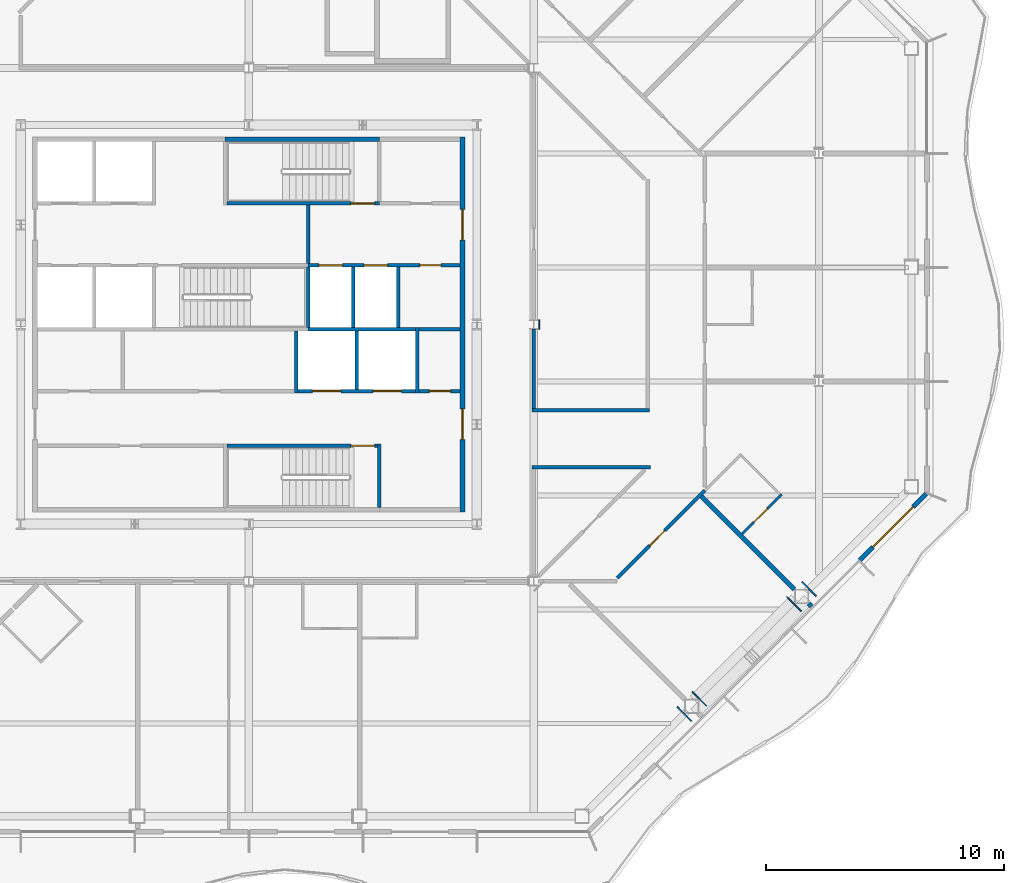
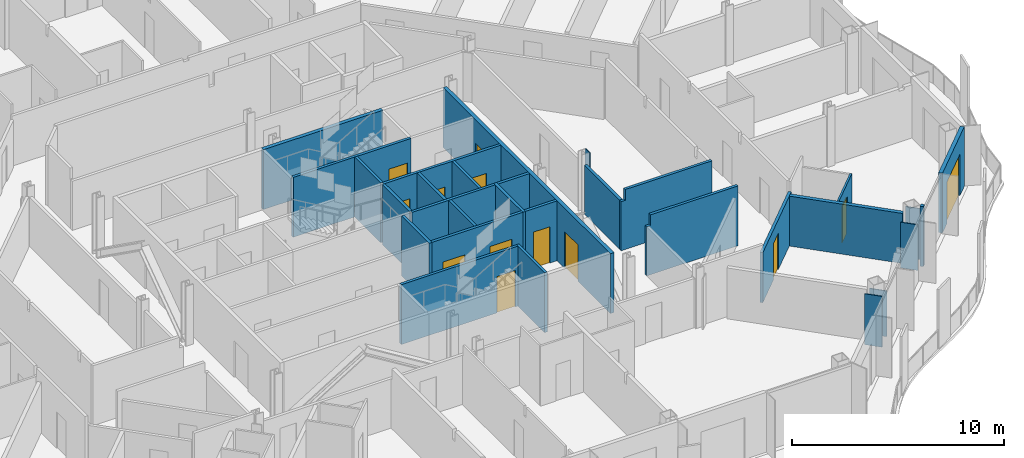
# One storey, part 10 of 21: 30 walls, 13 doors, 13 openings.
"""IFC4 building model written with IfcOpenShell, lengths in metres."""

from ifc_helpers import new_model, si_unit, direction, frame, frame_2d, origin, place, context, subcontext, project, spatial, polyline, rectangle, outline, extrude, material, layer, layer_set, type_object, element, fill, save


model = new_model("IFC4")

# Units and contexts
model_context = context("Model", 3, precision=1e-05, world=origin(), true_north=direction((0.0, 1.0)))
body_context = subcontext(model_context, "Body", "Model", "MODEL_VIEW")
ifc_project = project(units=[si_unit("LENGTHUNIT", "METRE"), si_unit("AREAUNIT", "SQUARE_METRE"), si_unit("VOLUMEUNIT", "CUBIC_METRE"), si_unit("PLANEANGLEUNIT", "RADIAN"), si_unit("MASSUNIT", "GRAM", prefix="KILO")], contexts=[model_context])

# Site, building, storey
site_placement = place(None, origin())
site = spatial("IfcSite", under=ifc_project, at=site_placement, CompositionType="ELEMENT")
building_placement = place(site_placement, origin())
building = spatial("IfcBuilding", under=site, at=building_placement, Name="Cairn Pilgrim Tower", CompositionType="ELEMENT")
storey_placement = place(building_placement, frame((0.0, 0.0, 154.199951171875)))
storey = spatial("IfcBuildingStorey", under=building, at=storey_placement, Name="L38", CompositionType="ELEMENT", Elevation=154.199951171875)

# Wall, opening, door
ifc_material_1 = material(Name="Bronze anodised aluminium insulated sandwich panel with mineral wool fill", Category="aluminium")
ifc_layer_1 = layer(ifc_material_1, 0.199951171875)
ifc_layer_set_1 = layer_set([ifc_layer_1], Name="BRONZE INFILL FRAME WALL 200")
wall_type_1 = type_object("IfcWallType", Name="BRONZE INFILL FRAME WALL 200", PredefinedType="NOTDEFINED", material=ifc_layer_set_1)
wall_1_placement = place(storey_placement, frame((32.92041015625, -7.52587890625, 0.0), z_axis=(0.0, 0.0, 1.0), x_axis=(0.707106781187, 0.707106781187, 0.0)))
wall_1 = element("IfcWall", 1, at=wall_1_placement, inside=storey, type_object=wall_type_1, Name="Bronze infill frame wall IW-SE5", PredefinedType="NOTDEFINED", context=body_context, shape_type="SweptSolid", body=[
    extrude(rectangle(XDim=3.961669921875, YDim=0.199951171875, at=frame_2d((1.98095703125, 0.0))), origin(), (0.0, 0.0, 1.0), 3.449951171875),
])
opening_1_placement = place(wall_1_placement, frame((0.78564453125, 0.0, 0.0)))
opening_1 = element("IfcOpeningElement", 2, at=opening_1_placement, cuts=wall_1, Name="Opening 3803B2", PredefinedType="OPENING", context=body_context, shape_type="SweptSolid", body=[
    extrude(rectangle(XDim=2.39990234375, YDim=2.39990234375, at=frame_2d((1.199951171875, 1.199951171875))), frame((0.0, 0.10986328125, 0.0), z_axis=(0.0, -1.0, 0.0), x_axis=(1.0, 0.0, 0.0)), (0.0, 0.0, 1.0), 0.219970703125),
])
ifc_material_2 = material(Name="Bronze anodised aluminium frame with tinted low-E glass", Category="aluminium")
door_type_1 = type_object("IfcDoorType", Name="BALCONY SLIDING DOOR 2400x2400", OperationType="DOUBLE_DOOR_SLIDING", PredefinedType="DOOR", material=ifc_material_2)
door_1_placement = place(opening_1_placement, origin())
door_1 = element("IfcDoor", 3, at=door_1_placement, inside=storey, type_object=door_type_1, Name="Balcony sliding door 3803B2", OperationType="SINGLE_SWING_LEFT", OverallHeight=2.39990234375, OverallWidth=2.39990234375, PredefinedType="DOOR", context=body_context, shape_type="SweptSolid", body=[
    extrude(rectangle(XDim=2.39990234375, YDim=2.39990234375, at=frame_2d((1.199951171875, 1.199951171875))), frame((0.0, 0.02490234375, 0.0), z_axis=(0.0, -1.0, 0.0), x_axis=(1.0, 0.0, 0.0)), (0.0, 0.0, 1.0), 0.050048828125),
])
fill(opening_1, door_1)

# Wall, openings, doors
ifc_material_3 = material(Name="Concrete C32/40", Category="concrete")
ifc_layer_2 = layer(ifc_material_3, 0.199951171875)
ifc_layer_set_2 = layer_set([ifc_layer_2], Name="CORE OUTER WALL 200 EI 120")
wall_type_2 = type_object("IfcWallType", Name="CORE OUTER WALL 200 EI 120", PredefinedType="SOLIDWALL", material=ifc_layer_set_2)
wall_2_placement = place(storey_placement, frame((16.199951171875, -5.5, 0.0), z_axis=(0.0, 0.0, 1.0), x_axis=(0.0, 1.0, 0.0)))
wall_2 = element("IfcWall", 4, at=wall_2_placement, inside=storey, type_object=wall_type_2, Name="CW:L38:V30", PredefinedType="SOLIDWALL", context=body_context, shape_type="SweptSolid", body=[
    extrude(rectangle(XDim=15.800048828125, YDim=0.199951171875, at=frame_2d((7.89990234375, 0.0))), origin(), (0.0, 0.0, 1.0), 3.449951171875),
])
opening_2_placement = place(wall_2_placement, frame((3.050048828125, 0.0, 0.0)))
opening_2 = element("IfcOpeningElement", 5, at=opening_2_placement, cuts=wall_2, Name="Opening CD-E1", PredefinedType="OPENING", context=body_context, shape_type="SweptSolid", body=[
    extrude(rectangle(XDim=1.300048828125, YDim=2.10009765625, at=frame_2d((0.64990234375, 1.050048828125))), frame((0.0, 0.10986328125, 0.0), z_axis=(0.0, -1.0, 0.0), x_axis=(1.0, 0.0, 0.0)), (0.0, 0.0, 1.0), 0.219970703125),
])
opening_3_placement = place(wall_2_placement, frame((11.449951171875, 0.0, 0.0)))
opening_3 = element("IfcOpeningElement", 6, at=opening_3_placement, cuts=wall_2, Name="Opening CD-E2", PredefinedType="OPENING", context=body_context, shape_type="SweptSolid", body=[
    extrude(rectangle(XDim=1.300048828125, YDim=2.10009765625, at=frame_2d((0.64990234375, 1.050048828125))), frame((0.0, 0.10986328125, 0.0), z_axis=(0.0, -1.0, 0.0), x_axis=(1.0, 0.0, 0.0)), (0.0, 0.0, 1.0), 0.219970703125),
])
ifc_material_4 = material(Name="Painted steel", Category="steel")
door_type_2 = type_object("IfcDoorType", Name="CORE LOBBY DOOR 1300x2100", OperationType="DOUBLE_DOOR_SINGLE_SWING", PredefinedType="DOOR", material=ifc_material_4)
door_2_placement = place(opening_2_placement, origin())
door_2 = element("IfcDoor", 7, at=door_2_placement, inside=storey, type_object=door_type_2, Name="CD-E1", OperationType="DOUBLE_DOOR_SINGLE_SWING", OverallHeight=2.10009765625, OverallWidth=1.300048828125, PredefinedType="DOOR", context=body_context, shape_type="SweptSolid", body=[
    extrude(rectangle(XDim=1.300048828125, YDim=2.10009765625, at=frame_2d((0.64990234375, 1.050048828125))), frame((0.0, 0.02490234375, 0.0), z_axis=(0.0, -1.0, 0.0), x_axis=(1.0, 0.0, 0.0)), (0.0, 0.0, 1.0), 0.050048828125),
])
fill(opening_2, door_2)
door_3_placement = place(opening_3_placement, origin())
door_3 = element("IfcDoor", 8, at=door_3_placement, inside=storey, type_object=door_type_2, Name="CD-E2", OperationType="DOUBLE_DOOR_SINGLE_SWING", OverallHeight=2.10009765625, OverallWidth=1.300048828125, PredefinedType="DOOR", context=body_context, shape_type="SweptSolid", body=[
    extrude(rectangle(XDim=1.300048828125, YDim=2.10009765625, at=frame_2d((0.64990234375, 1.050048828125))), frame((0.0, 0.02490234375, 0.0), z_axis=(0.0, -1.0, 0.0), x_axis=(1.0, 0.0, 0.0)), (0.0, 0.0, 1.0), 0.050048828125),
])
fill(opening_3, door_3)

# Wall, opening, door
ifc_layer_3 = layer(ifc_material_3, 0.14990234375)
ifc_layer_set_3 = layer_set([ifc_layer_3], Name="CORE PARTITION 150 EI 60")
wall_type_3 = type_object("IfcWallType", Name="CORE PARTITION 150 EI 60", PredefinedType="PARTITIONING", material=ifc_layer_set_3)
wall_3_placement = place(storey_placement, frame((14.375, -0.39990234375, 0.0), z_axis=(0.0, 0.0, 1.0), x_axis=(1.0, 0.0, 0.0)))
wall_3 = element("IfcWall", 9, at=wall_3_placement, inside=storey, type_object=wall_type_3, Name="CW:L38:H06", PredefinedType="PARTITIONING", context=body_context, shape_type="SweptSolid", body=[
    extrude(rectangle(XDim=1.72509765625, YDim=0.14990234375, at=frame_2d((0.862548828125, 0.0))), origin(), (0.0, 0.0, 1.0), 3.449951171875),
])
opening_4_placement = place(wall_3_placement, frame((0.425048828125, 0.0, 0.0)))
opening_4 = element("IfcOpeningElement", 10, at=opening_4_placement, cuts=wall_3, Name="Opening RD-R2E", PredefinedType="OPENING", context=body_context, shape_type="SweptSolid", body=[
    extrude(rectangle(XDim=0.89990234375, YDim=2.10009765625, at=frame_2d((0.449951171875, 1.050048828125))), frame((0.0, 0.0849609375, 0.0), z_axis=(0.0, -1.0, 0.0), x_axis=(1.0, 0.0, 0.0)), (0.0, 0.0, 1.0), 0.169921875),
])
door_type_3 = type_object("IfcDoorType", Name="SERVICE ROOM DOOR 900x2100", OperationType="SINGLE_SWING_LEFT", PredefinedType="DOOR", material=ifc_material_4)
door_4_placement = place(opening_4_placement, origin())
door_4 = element("IfcDoor", 11, at=door_4_placement, inside=storey, type_object=door_type_3, Name="RD-R2E", OperationType="SINGLE_SWING_RIGHT", OverallHeight=2.10009765625, OverallWidth=0.89990234375, PredefinedType="DOOR", context=body_context, shape_type="SweptSolid", body=[
    extrude(rectangle(XDim=0.89990234375, YDim=2.10009765625, at=frame_2d((0.449951171875, 1.050048828125))), frame((0.0, 0.02490234375, 0.0), z_axis=(0.0, -1.0, 0.0), x_axis=(1.0, 0.0, 0.0)), (0.0, 0.0, 1.0), 0.050048828125),
])
fill(opening_4, door_4)

# Wall
wall_4_placement = place(storey_placement, frame((14.375, 2.199951171875, 0.0), z_axis=(0.0, 0.0, 1.0), x_axis=(1.0, 0.0, 0.0)))
element("IfcWall", 12, at=wall_4_placement, inside=storey, type_object=wall_type_3, Name="CW:L38:H08", PredefinedType="PARTITIONING", context=body_context, shape_type="SweptSolid", body=[
    extrude(rectangle(XDim=1.72509765625, YDim=0.14990234375, at=frame_2d((0.862548828125, 0.0))), origin(), (0.0, 0.0, 1.0), 3.449951171875),
])

# Wall, openings, doors
ifc_layer_4 = layer(ifc_material_3, 0.14990234375)
ifc_layer_set_4 = layer_set([ifc_layer_4], Name="CORE SHAFT WALL 150 EI 120")
wall_type_4 = type_object("IfcWallType", Name="CORE SHAFT WALL 150 EI 120", PredefinedType="SOLIDWALL", material=ifc_layer_set_4)
wall_5_placement = place(storey_placement, frame((9.27490234375, -0.39990234375, 0.0), z_axis=(0.0, 0.0, 1.0), x_axis=(1.0, 0.0, 0.0)))
wall_5 = element("IfcWall", 13, at=wall_5_placement, inside=storey, type_object=wall_type_4, Name="CW:L38:H05", PredefinedType="SOLIDWALL", context=body_context, shape_type="SweptSolid", body=[
    extrude(rectangle(XDim=4.9501953125, YDim=0.14990234375, at=frame_2d((2.47509765625, 0.0))), origin(), (0.0, 0.0, 1.0), 3.449951171875),
])
opening_5_placement = place(wall_5_placement, frame((0.60009765625, 0.0, 0.0)))
opening_5 = element("IfcOpeningElement", 14, at=opening_5_placement, cuts=wall_5, Name="Opening LD-SV1", PredefinedType="OPENING", context=body_context, shape_type="SweptSolid", body=[
    extrude(rectangle(XDim=1.199951171875, YDim=2.10009765625, at=frame_2d((0.60009765625, 1.050048828125))), frame((0.0, 0.0849609375, 0.0), z_axis=(0.0, -1.0, 0.0), x_axis=(1.0, 0.0, 0.0)), (0.0, 0.0, 1.0), 0.169921875),
])
opening_6_placement = place(wall_5_placement, frame((3.14990234375, 0.0, 0.0)))
opening_6 = element("IfcOpeningElement", 15, at=opening_6_placement, cuts=wall_5, Name="Opening LD-SV2", PredefinedType="OPENING", context=body_context, shape_type="SweptSolid", body=[
    extrude(rectangle(XDim=1.199951171875, YDim=2.10009765625, at=frame_2d((0.60009765625, 1.050048828125))), frame((0.0, 0.0849609375, 0.0), z_axis=(0.0, -1.0, 0.0), x_axis=(1.0, 0.0, 0.0)), (0.0, 0.0, 1.0), 0.169921875),
])
ifc_material_5 = material(Name="Stainless steel", Category="steel")
door_type_4 = type_object("IfcDoorType", Name="LIFT LANDING DOOR 1200x2100", OperationType="DOUBLE_DOOR_SLIDING", PredefinedType="DOOR", material=ifc_material_5)
door_5_placement = place(opening_5_placement, origin())
door_5 = element("IfcDoor", 16, at=door_5_placement, inside=storey, type_object=door_type_4, Name="LANDING DOOR SV1", OperationType="DOUBLE_DOOR_SLIDING", OverallHeight=2.10009765625, OverallWidth=1.199951171875, PredefinedType="DOOR", context=body_context, shape_type="SweptSolid", body=[
    extrude(rectangle(XDim=1.199951171875, YDim=2.10009765625, at=frame_2d((0.60009765625, 1.050048828125))), frame((0.0, 0.02490234375, 0.0), z_axis=(0.0, -1.0, 0.0), x_axis=(1.0, 0.0, 0.0)), (0.0, 0.0, 1.0), 0.050048828125),
])
fill(opening_5, door_5)
door_6_placement = place(opening_6_placement, origin())
door_6 = element("IfcDoor", 17, at=door_6_placement, inside=storey, type_object=door_type_4, Name="LANDING DOOR SV2", OperationType="DOUBLE_DOOR_SLIDING", OverallHeight=2.10009765625, OverallWidth=1.199951171875, PredefinedType="DOOR", context=body_context, shape_type="SweptSolid", body=[
    extrude(rectangle(XDim=1.199951171875, YDim=2.10009765625, at=frame_2d((0.60009765625, 1.050048828125))), frame((0.0, 0.02490234375, 0.0), z_axis=(0.0, -1.0, 0.0), x_axis=(1.0, 0.0, 0.0)), (0.0, 0.0, 1.0), 0.050048828125),
])
fill(opening_6, door_6)

# Wall
wall_6_placement = place(storey_placement, frame((9.699951171875, 2.199951171875, 0.0), z_axis=(0.0, 0.0, 1.0), x_axis=(1.0, 0.0, 0.0)))
element("IfcWall", 18, at=wall_6_placement, inside=storey, type_object=wall_type_4, Name="CW:L38:H07-3", PredefinedType="SOLIDWALL", context=body_context, shape_type="SweptSolid", body=[
    extrude(rectangle(XDim=4.525146484375, YDim=0.14990234375, at=frame_2d((2.2626953125, 0.0))), origin(), (0.0, 0.0, 1.0), 3.449951171875),
])

# Wall, openings, doors
wall_7_placement = place(storey_placement, frame((9.699951171875, 4.89990234375, 0.0), z_axis=(0.0, 0.0, 1.0), x_axis=(1.0, 0.0, 0.0)))
wall_7 = element("IfcWall", 19, at=wall_7_placement, inside=storey, type_object=wall_type_4, Name="CW:L38:H09-3", PredefinedType="SOLIDWALL", context=body_context, shape_type="SweptSolid", body=[
    extrude(rectangle(XDim=6.400146484375, YDim=0.14990234375, at=frame_2d((3.2001953125, 0.0))), origin(), (0.0, 0.0, 1.0), 3.449951171875),
])
opening_7_placement = place(wall_7_placement, frame((0.449951171875, 0.0, 0.0)))
opening_7 = element("IfcOpeningElement", 20, at=opening_7_placement, cuts=wall_7, Name="Opening LD-FF1", PredefinedType="OPENING", context=body_context, shape_type="SweptSolid", body=[
    extrude(rectangle(XDim=1.0, YDim=2.10009765625, at=frame_2d((0.5, 1.050048828125))), frame((0.0, 0.0849609375, 0.0), z_axis=(0.0, -1.0, 0.0), x_axis=(1.0, 0.0, 0.0)), (0.0, 0.0, 1.0), 0.169921875),
])
opening_8_placement = place(wall_7_placement, frame((2.35009765625, 0.0, 0.0)))
opening_8 = element("IfcOpeningElement", 21, at=opening_8_placement, cuts=wall_7, Name="Opening LD-FF2", PredefinedType="OPENING", context=body_context, shape_type="SweptSolid", body=[
    extrude(rectangle(XDim=1.0, YDim=2.10009765625, at=frame_2d((0.5, 1.050048828125))), frame((0.0, 0.0849609375, 0.0), z_axis=(0.0, -1.0, 0.0), x_axis=(1.0, 0.0, 0.0)), (0.0, 0.0, 1.0), 0.169921875),
])
opening_9_placement = place(wall_7_placement, frame((4.699951171875, 0.0, 0.0)))
opening_9 = element("IfcOpeningElement", 22, at=opening_9_placement, cuts=wall_7, Name="Opening RD-R3E", PredefinedType="OPENING", context=body_context, shape_type="SweptSolid", body=[
    extrude(rectangle(XDim=0.89990234375, YDim=2.10009765625, at=frame_2d((0.449951171875, 1.050048828125))), frame((0.0, 0.0849609375, 0.0), z_axis=(0.0, -1.0, 0.0), x_axis=(1.0, 0.0, 0.0)), (0.0, 0.0, 1.0), 0.169921875),
])
door_type_5 = type_object("IfcDoorType", Name="LIFT LANDING DOOR FIRE 1000x2100", OperationType="DOUBLE_DOOR_SLIDING", PredefinedType="DOOR", material=ifc_material_5)
door_7_placement = place(opening_7_placement, origin())
door_7 = element("IfcDoor", 23, at=door_7_placement, inside=storey, type_object=door_type_5, Name="LANDING DOOR FF1", OperationType="DOUBLE_DOOR_SLIDING", OverallHeight=2.10009765625, OverallWidth=1.0, PredefinedType="DOOR", context=body_context, shape_type="SweptSolid", body=[
    extrude(rectangle(XDim=1.0, YDim=2.10009765625, at=frame_2d((0.5, 1.050048828125))), frame((0.0, 0.02490234375, 0.0), z_axis=(0.0, -1.0, 0.0), x_axis=(1.0, 0.0, 0.0)), (0.0, 0.0, 1.0), 0.050048828125),
])
fill(opening_7, door_7)
door_8_placement = place(opening_8_placement, origin())
door_8 = element("IfcDoor", 24, at=door_8_placement, inside=storey, type_object=door_type_5, Name="LANDING DOOR FF2", OperationType="DOUBLE_DOOR_SLIDING", OverallHeight=2.10009765625, OverallWidth=1.0, PredefinedType="DOOR", context=body_context, shape_type="SweptSolid", body=[
    extrude(rectangle(XDim=1.0, YDim=2.10009765625, at=frame_2d((0.5, 1.050048828125))), frame((0.0, 0.02490234375, 0.0), z_axis=(0.0, -1.0, 0.0), x_axis=(1.0, 0.0, 0.0)), (0.0, 0.0, 1.0), 0.050048828125),
])
fill(opening_8, door_8)
door_9_placement = place(opening_9_placement, origin())
door_9 = element("IfcDoor", 25, at=door_9_placement, inside=storey, type_object=door_type_3, Name="RD-R3E", OperationType="SINGLE_SWING_LEFT", OverallHeight=2.10009765625, OverallWidth=0.89990234375, PredefinedType="DOOR", context=body_context, shape_type="SweptSolid", body=[
    extrude(rectangle(XDim=0.89990234375, YDim=2.10009765625, at=frame_2d((0.449951171875, 1.050048828125))), frame((0.0, 0.02490234375, 0.0), z_axis=(0.0, -1.0, 0.0), x_axis=(1.0, 0.0, 0.0)), (0.0, 0.0, 1.0), 0.050048828125),
])
fill(opening_9, door_9)

# Walls
wall_8_placement = place(storey_placement, frame((9.199951171875, -0.47509765625, 0.0), z_axis=(0.0, 0.0, 1.0), x_axis=(0.0, 1.0, 0.0)))
element("IfcWall", 26, at=wall_8_placement, inside=storey, type_object=wall_type_4, Name="CW:L38:V21", PredefinedType="SOLIDWALL", context=body_context, shape_type="SweptSolid", body=[
    extrude(rectangle(XDim=2.60009765625, YDim=0.14990234375, at=frame_2d((1.300048828125, 0.0))), origin(), (0.0, 0.0, 1.0), 3.449951171875),
])
wall_9_placement = place(storey_placement, frame((9.699951171875, 4.97509765625, 0.0), z_axis=(0.0, 0.0, 1.0), x_axis=(0.0, 1.0, 0.0)))
element("IfcWall", 27, at=wall_9_placement, inside=storey, type_object=wall_type_4, Name="CW:L38:V23", PredefinedType="SOLIDWALL", context=body_context, shape_type="SweptSolid", body=[
    extrude(rectangle(XDim=2.449951171875, YDim=0.14990234375, at=frame_2d((1.22509765625, 0.0))), origin(), (0.0, 0.0, 1.0), 3.449951171875),
])
wall_10_placement = place(storey_placement, frame((11.60009765625, 2.27490234375, 0.0), z_axis=(0.0, 0.0, 1.0), x_axis=(0.0, 1.0, 0.0)))
element("IfcWall", 28, at=wall_10_placement, inside=storey, type_object=wall_type_4, Name="CW:L38:V24", PredefinedType="SOLIDWALL", context=body_context, shape_type="SweptSolid", body=[
    extrude(rectangle(XDim=2.550048828125, YDim=0.14990234375, at=frame_2d((1.27490234375, 0.0))), origin(), (0.0, 0.0, 1.0), 3.449951171875),
])
wall_11_placement = place(storey_placement, frame((11.75, -0.324951171875, 0.0), z_axis=(0.0, 0.0, 1.0), x_axis=(0.0, 1.0, 0.0)))
element("IfcWall", 29, at=wall_11_placement, inside=storey, type_object=wall_type_4, Name="CW:L38:V25", PredefinedType="SOLIDWALL", context=body_context, shape_type="SweptSolid", body=[
    extrude(rectangle(XDim=2.449951171875, YDim=0.14990234375, at=frame_2d((1.22509765625, 0.0))), origin(), (0.0, 0.0, 1.0), 3.449951171875),
])
wall_12_placement = place(storey_placement, frame((13.5, 2.27490234375, 0.0), z_axis=(0.0, 0.0, 1.0), x_axis=(0.0, 1.0, 0.0)))
element("IfcWall", 30, at=wall_12_placement, inside=storey, type_object=wall_type_4, Name="CW:L38:V28", PredefinedType="SOLIDWALL", context=body_context, shape_type="SweptSolid", body=[
    extrude(rectangle(XDim=2.550048828125, YDim=0.14990234375, at=frame_2d((1.27490234375, 0.0))), origin(), (0.0, 0.0, 1.0), 3.449951171875),
])
wall_13_placement = place(storey_placement, frame((14.300048828125, -0.47509765625, 0.0), z_axis=(0.0, 0.0, 1.0), x_axis=(0.0, 1.0, 0.0)))
element("IfcWall", 31, at=wall_13_placement, inside=storey, type_object=wall_type_4, Name="CW:L38:V29", PredefinedType="SOLIDWALL", context=body_context, shape_type="SweptSolid", body=[
    extrude(rectangle(XDim=2.75, YDim=0.14990234375, at=frame_2d((1.375, 0.0))), origin(), (0.0, 0.0, 1.0), 3.449951171875),
])

# Wall, opening, door
ifc_material_6 = material(Name="Gypsum partition")
ifc_layer_5 = layer(ifc_material_6, 0.10009765625)
ifc_layer_set_5 = layer_set([ifc_layer_5], Name="PARTITION 100 DRYWALL")
wall_type_5 = type_object("IfcWallType", Name="PARTITION 100 DRYWALL", PredefinedType="PARTITIONING", material=ifc_layer_set_5)
wall_14_placement = place(storey_placement, frame((27.976806640625, -6.411376953125, 0.0), z_axis=(0.0, 0.0, 1.0), x_axis=(0.707054828152, 0.707158730404, 0.0)))
wall_14 = element("IfcWall", 32, at=wall_14_placement, inside=storey, type_object=wall_type_5, Name="PARTITION W037", PredefinedType="PARTITIONING", context=body_context, shape_type="SweptSolid", body=[
    extrude(rectangle(XDim=2.349609375, YDim=0.10009765625, at=frame_2d((1.1748046875, 0.0))), origin(), (0.0, 0.0, 1.0), 2.880126953125),
])
opening_10_placement = place(wall_14_placement, frame((0.699951171875, 0.0, 0.0)))
opening_10 = element("IfcOpeningElement", 33, at=opening_10_placement, cuts=wall_14, Name="Opening 3803A", PredefinedType="OPENING", context=body_context, shape_type="SweptSolid", body=[
    extrude(rectangle(XDim=0.800048828125, YDim=2.10009765625, at=frame_2d((0.39990234375, 1.050048828125))), frame((0.0, 0.06005859375, 0.0), z_axis=(0.0, -1.0, 0.0), x_axis=(1.0, 0.0, 0.0)), (0.0, 0.0, 1.0), 0.1201171875),
])
ifc_material_7 = material(Name="Timber door leaf", Category="wood")
door_type_6 = type_object("IfcDoorType", Name="WC DOOR 800x2100", OperationType="NOTDEFINED", PredefinedType="DOOR", material=ifc_material_7)
door_10_placement = place(opening_10_placement, frame((0.800048828125, 0.0, 0.0), z_axis=(0.0, 0.0, 1.0), x_axis=(-1.0, 0.0, 0.0)))
door_10 = element("IfcDoor", 34, at=door_10_placement, inside=storey, type_object=door_type_6, Name="DOOR 3803A", OperationType="SINGLE_SWING_LEFT", OverallHeight=2.10009765625, OverallWidth=0.800048828125, PredefinedType="DOOR", context=body_context, shape_type="SweptSolid", body=[
    extrude(rectangle(XDim=0.800048828125, YDim=2.10009765625, at=frame_2d((0.39990234375, 1.050048828125))), frame((0.0, 0.02490234375, 0.0), z_axis=(0.0, -1.0, 0.0), x_axis=(1.0, 0.0, 0.0)), (0.0, 0.0, 1.0), 0.050048828125),
])
fill(opening_10, door_10)

ifc_layer_6 = layer(ifc_material_6, 0.14990234375)
ifc_layer_set_6 = layer_set([ifc_layer_6], Name="PARTITION 150 DRYWALL EI 60")
wall_type_6 = type_object("IfcWallType", Name="PARTITION 150 DRYWALL EI 60", PredefinedType="PARTITIONING", material=ifc_layer_set_6)
wall_15_placement = place(storey_placement, frame((22.721923828125, -8.27197265625, 0.0), z_axis=(0.0, 0.0, 1.0), x_axis=(0.707106781187, 0.707106781187, 0.0)))
wall_15 = element("IfcWall", 35, at=wall_15_placement, inside=storey, type_object=wall_type_6, Name="PARTITION W031", PredefinedType="PARTITIONING", context=body_context, shape_type="SweptSolid", body=[
    extrude(rectangle(XDim=5.201416015625, YDim=0.14990234375, at=frame_2d((2.6005859375, 0.0))), origin(), (0.0, 0.0, 1.0), 2.880126953125),
])
opening_11_placement = place(wall_15_placement, frame((1.92529296875, 0.0, 0.0)))
opening_11 = element("IfcOpeningElement", 36, at=opening_11_placement, cuts=wall_15, Name="Opening 3802", PredefinedType="OPENING", context=body_context, shape_type="SweptSolid", body=[
    extrude(rectangle(XDim=0.89990234375, YDim=2.10009765625, at=frame_2d((0.449951171875, 1.050048828125))), frame((0.0, 0.0849609375, 0.0), z_axis=(0.0, -1.0, 0.0), x_axis=(1.0, 0.0, 0.0)), (0.0, 0.0, 1.0), 0.169921875),
])
door_type_7 = type_object("IfcDoorType", Name="SERVICE DOOR 900x2100 FD30S", OperationType="NOTDEFINED", PredefinedType="DOOR", material=ifc_material_7)
door_11_placement = place(opening_11_placement, frame((0.89990234375, 0.0, 0.0), z_axis=(0.0, 0.0, 1.0), x_axis=(-1.0, 0.0, 0.0)))
door_11 = element("IfcDoor", 37, at=door_11_placement, inside=storey, type_object=door_type_7, Name="DOOR 3802", OperationType="SINGLE_SWING_LEFT", OverallHeight=2.10009765625, OverallWidth=0.89990234375, PredefinedType="DOOR", context=body_context, shape_type="SweptSolid", body=[
    extrude(rectangle(XDim=0.89990234375, YDim=2.10009765625, at=frame_2d((0.449951171875, 1.050048828125))), frame((0.0, 0.02490234375, 0.0), z_axis=(0.0, -1.0, 0.0), x_axis=(1.0, 0.0, 0.0)), (0.0, 0.0, 1.0), 0.050048828125),
])
fill(opening_11, door_11)

# Walls
wall_16_placement = place(storey_placement, frame((19.125, -3.60009765625, 0.0), z_axis=(0.0, 0.0, 1.0), x_axis=(1.0, 0.0, 0.0)))
element("IfcWall", 38, at=wall_16_placement, inside=storey, type_object=wall_type_6, Name="PARTITION W043", PredefinedType="PARTITIONING", context=body_context, shape_type="SweptSolid", body=[
    extrude(outline(polyline([(0.0, 0.0), (4.981201171875, 0.0), (4.981201171875, 3.449951171875), (0.22509765625, 3.449951171875), (0.222900390625, 2.830078125), (0.0, 2.830078125), (0.0, 0.0)])), frame((0.0, 0.074951171875, 0.0), z_axis=(0.0, -1.0, 0.0), x_axis=(1.0, 0.0, 0.0)), (0.0, 0.0, 1.0), 0.14990234375),
])
wall_17_placement = place(storey_placement, frame((19.125, -1.199951171875, 0.0), z_axis=(0.0, 0.0, 1.0), x_axis=(1.0, 0.0, 0.0)))
element("IfcWall", 39, at=wall_17_placement, inside=storey, type_object=wall_type_6, Name="PARTITION W045", PredefinedType="PARTITIONING", context=body_context, shape_type="SweptSolid", body=[
    extrude(outline(polyline([(0.0, 0.0), (4.949951171875, 0.0), (4.949951171875, 3.449951171875), (0.22509765625, 3.449951171875), (0.222900390625, 2.830078125), (0.0, 2.830078125), (0.0, 0.0)])), frame((0.0, 0.074951171875, 0.0), z_axis=(0.0, -1.0, 0.0), x_axis=(1.0, 0.0, 0.0)), (0.0, 0.0, 1.0), 0.14990234375),
])
wall_18_placement = place(storey_placement, frame((19.199951171875, -1.125, 0.0), z_axis=(0.0, 0.0, 1.0), x_axis=(0.0, 1.0, 0.0)))
element("IfcWall", 40, at=wall_18_placement, inside=storey, type_object=wall_type_6, Name="PARTITION W048", PredefinedType="PARTITIONING", context=body_context, shape_type="SweptSolid", body=[
    extrude(rectangle(XDim=3.32861328125, YDim=0.14990234375, at=frame_2d((1.664306640625, 0.0))), origin(), (0.0, 0.0, 1.0), 2.830078125),
])
ifc_layer_7 = layer(ifc_material_6, 0.050048828125)
ifc_layer_set_7 = layer_set([ifc_layer_7], Name="PARTITION 50 DRYWALL EI 60")
wall_type_7 = type_object("IfcWallType", Name="PARTITION 50 DRYWALL EI 60", PredefinedType="PARTITIONING", material=ifc_layer_set_7)
wall_19_placement = place(storey_placement, frame((25.833740234375, -14.29345703125, 0.0), z_axis=(0.0, 0.0, 1.0), x_axis=(-0.706962899457, 0.707250633645, 0.0)))
element("IfcWall", 41, at=wall_19_placement, inside=storey, type_object=wall_type_7, Name="COLUMN CASING WC05", PredefinedType="PARTITIONING", context=body_context, shape_type="SweptSolid", body=[
    extrude(rectangle(XDim=0.848388671875, YDim=0.050048828125, at=frame_2d((0.42431640625, 0.0))), origin(), (0.0, 0.0, 1.0), 2.929931640625),
])
wall_20_placement = place(storey_placement, frame((26.46923828125, -13.657958984375, 0.0), z_axis=(0.0, 0.0, 1.0), x_axis=(-0.707250633645, 0.706962899457, 0.0)))
element("IfcWall", 42, at=wall_20_placement, inside=storey, type_object=wall_type_7, Name="COLUMN CASING WC06", PredefinedType="PARTITIONING", context=body_context, shape_type="SweptSolid", body=[
    extrude(rectangle(XDim=0.848388671875, YDim=0.050048828125, at=frame_2d((0.42431640625, 0.0))), origin(), (0.0, 0.0, 1.0), 2.630126953125),
])
wall_21_placement = place(storey_placement, frame((30.4580078125, -9.669189453125, 0.0), z_axis=(0.0, 0.0, 1.0), x_axis=(-0.707106781187, 0.707106781187, 0.0)))
element("IfcWall", 43, at=wall_21_placement, inside=storey, type_object=wall_type_7, Name="COLUMN CASING WC08", PredefinedType="PARTITIONING", context=body_context, shape_type="SweptSolid", body=[
    extrude(rectangle(XDim=0.8486328125, YDim=0.050048828125, at=frame_2d((0.42431640625, 0.0))), origin(), (0.0, 0.0, 1.0), 2.630126953125),
])
wall_22_placement = place(storey_placement, frame((31.093505859375, -9.03369140625, 0.0), z_axis=(0.0, 0.0, 1.0), x_axis=(-0.707250633645, 0.706962899457, 0.0)))
element("IfcWall", 44, at=wall_22_placement, inside=storey, type_object=wall_type_7, Name="COLUMN CASING WC09", PredefinedType="PARTITIONING", context=body_context, shape_type="SweptSolid", body=[
    extrude(rectangle(XDim=0.848388671875, YDim=0.050048828125, at=frame_2d((0.42431640625, 0.0))), origin(), (0.0, 0.0, 1.0), 2.929931640625),
])
wall_23_placement = place(storey_placement, frame((19.424560546875, 2.20361328125, 0.0), z_axis=(0.0, 0.0, 1.0), x_axis=(0.0, 1.0, 0.0)))
element("IfcWall", 45, at=wall_23_placement, inside=storey, type_object=wall_type_7, Name="COLUMN CASING WC19", PredefinedType="PARTITIONING", context=body_context, shape_type="SweptSolid", body=[
    extrude(rectangle(XDim=0.392822265625, YDim=0.050048828125, at=frame_2d((0.1962890625, 0.0))), origin(), (0.0, 0.0, 1.0), 3.449951171875),
])
ifc_layer_8 = layer(ifc_material_6, 0.199951171875)
ifc_layer_set_8 = layer_set([ifc_layer_8], Name="SHAFT WALL 200 GYPSUM EI 60")
wall_type_8 = type_object("IfcWallType", Name="SHAFT WALL 200 GYPSUM EI 60", PredefinedType="PARTITIONING", material=ifc_layer_set_8)
wall_24_placement = place(storey_placement, frame((30.892822265625, -9.46875, 0.0), z_axis=(0.0, 0.0, 1.0), x_axis=(-0.707106781187, 0.707106781187, 0.0)))
element("IfcWall", 46, at=wall_24_placement, inside=storey, type_object=wall_type_8, Name="PARTITION W023", PredefinedType="PARTITIONING", context=body_context, shape_type="SweptSolid", body=[
    extrude(rectangle(XDim=0.165771484375, YDim=0.199951171875, at=frame_2d((0.0830078125, 0.0))), origin(), (0.0, 0.0, 1.0), 3.449951171875),
])
wall_25_placement = place(storey_placement, frame((30.175537109375, -8.751708984375, 0.0), z_axis=(0.0, 0.0, 1.0), x_axis=(-0.707084725798, 0.707128835887, 0.0)))
element("IfcWall", 47, at=wall_25_placement, inside=storey, type_object=wall_type_8, Name="PARTITION W025", PredefinedType="PARTITIONING", context=body_context, shape_type="SweptSolid", body=[
    extrude(rectangle(XDim=5.534912109375, YDim=0.199951171875, at=frame_2d((2.767578125, 0.0))), origin(), (0.0, 0.0, 1.0), 2.880126953125),
])

# Wall, opening, door
ifc_material_8 = material(Name="Concrete C35/45", Category="concrete")
ifc_layer_9 = layer(ifc_material_8, 0.14990234375)
ifc_layer_set_9 = layer_set([ifc_layer_9], Name="STAIR SHAFT WALL 150 EI 120")
wall_type_9 = type_object("IfcWallType", Name="STAIR SHAFT WALL 150 EI 120", PredefinedType="SOLIDWALL", material=ifc_layer_set_9)
wall_26_placement = place(storey_placement, frame((6.27490234375, -2.699951171875, 0.0), z_axis=(0.0, 0.0, 1.0), x_axis=(1.0, 0.0, 0.0)))
wall_26 = element("IfcWall", 48, at=wall_26_placement, inside=storey, type_object=wall_type_9, Name="CW:L38:H03", PredefinedType="SOLIDWALL", context=body_context, shape_type="SweptSolid", body=[
    extrude(rectangle(XDim=6.35009765625, YDim=0.14990234375, at=frame_2d((3.175048828125, 0.0))), origin(), (0.0, 0.0, 1.0), 3.449951171875),
])
opening_12_placement = place(wall_26_placement, frame((5.22509765625, 0.0, 0.0)))
opening_12 = element("IfcOpeningElement", 49, at=opening_12_placement, cuts=wall_26, Name="Opening SD-A", PredefinedType="OPENING", context=body_context, shape_type="SweptSolid", body=[
    extrude(rectangle(XDim=1.0, YDim=2.10009765625, at=frame_2d((0.5, 1.050048828125))), frame((0.0, 0.0849609375, 0.0), z_axis=(0.0, -1.0, 0.0), x_axis=(1.0, 0.0, 0.0)), (0.0, 0.0, 1.0), 0.169921875),
])
door_type_8 = type_object("IfcDoorType", Name="STAIR DOOR FD60S 1000x2100", OperationType="SINGLE_SWING_LEFT", PredefinedType="DOOR", material=ifc_material_4)
door_12_placement = place(opening_12_placement, origin())
door_12 = element("IfcDoor", 50, at=door_12_placement, inside=storey, type_object=door_type_8, Name="SD-A", OperationType="SINGLE_SWING_LEFT", OverallHeight=2.10009765625, OverallWidth=1.0, PredefinedType="DOOR", context=body_context, shape_type="SweptSolid", body=[
    extrude(rectangle(XDim=1.0, YDim=2.10009765625, at=frame_2d((0.5, 1.050048828125))), frame((0.0, 0.02490234375, 0.0), z_axis=(0.0, -1.0, 0.0), x_axis=(1.0, 0.0, 0.0)), (0.0, 0.0, 1.0), 0.050048828125),
])
fill(opening_12, door_12)

wall_27_placement = place(storey_placement, frame((6.27490234375, 7.5, 0.0), z_axis=(0.0, 0.0, 1.0), x_axis=(1.0, 0.0, 0.0)))
wall_27 = element("IfcWall", 51, at=wall_27_placement, inside=storey, type_object=wall_type_9, Name="CW:L38:H11-1", PredefinedType="SOLIDWALL", context=body_context, shape_type="SweptSolid", body=[
    extrude(rectangle(XDim=6.425048828125, YDim=0.14990234375, at=frame_2d((3.21240234375, 0.0))), origin(), (0.0, 0.0, 1.0), 3.449951171875),
])
opening_13_placement = place(wall_27_placement, frame((5.22509765625, 0.0, 0.0)))
opening_13 = element("IfcOpeningElement", 52, at=opening_13_placement, cuts=wall_27, Name="Opening SD-C", PredefinedType="OPENING", context=body_context, shape_type="SweptSolid", body=[
    extrude(rectangle(XDim=1.0, YDim=2.10009765625, at=frame_2d((0.5, 1.050048828125))), frame((0.0, 0.0849609375, 0.0), z_axis=(0.0, -1.0, 0.0), x_axis=(1.0, 0.0, 0.0)), (0.0, 0.0, 1.0), 0.169921875),
])
door_13_placement = place(opening_13_placement, origin())
door_13 = element("IfcDoor", 53, at=door_13_placement, inside=storey, type_object=door_type_8, Name="SD-C", OperationType="SINGLE_SWING_LEFT", OverallHeight=2.10009765625, OverallWidth=1.0, PredefinedType="DOOR", context=body_context, shape_type="SweptSolid", body=[
    extrude(rectangle(XDim=1.0, YDim=2.10009765625, at=frame_2d((0.5, 1.050048828125))), frame((0.0, 0.02490234375, 0.0), z_axis=(0.0, -1.0, 0.0), x_axis=(1.0, 0.0, 0.0)), (0.0, 0.0, 1.0), 0.050048828125),
])
fill(opening_13, door_13)

# Walls
wall_28_placement = place(storey_placement, frame((9.699951171875, 2.27490234375, 0.0), z_axis=(0.0, 0.0, 1.0), x_axis=(0.0, 1.0, 0.0)))
element("IfcWall", 54, at=wall_28_placement, inside=storey, type_object=wall_type_9, Name="CW:L38:V22", PredefinedType="SOLIDWALL", context=body_context, shape_type="SweptSolid", body=[
    extrude(rectangle(XDim=2.550048828125, YDim=0.14990234375, at=frame_2d((1.27490234375, 0.0))), origin(), (0.0, 0.0, 1.0), 3.449951171875),
])
wall_29_placement = place(storey_placement, frame((12.699951171875, -5.300048828125, 0.0), z_axis=(0.0, 0.0, 1.0), x_axis=(0.0, 1.0, 0.0)))
element("IfcWall", 55, at=wall_29_placement, inside=storey, type_object=wall_type_9, Name="CW:L38:V26", PredefinedType="SOLIDWALL", context=body_context, shape_type="SweptSolid", body=[
    extrude(rectangle(XDim=2.675048828125, YDim=0.14990234375, at=frame_2d((1.33740234375, 0.0))), origin(), (0.0, 0.0, 1.0), 3.449951171875),
])
ifc_layer_10 = layer(ifc_material_8, 0.199951171875)
ifc_layer_set_10 = layer_set([ifc_layer_10], Name="STAIR SHAFT WALL 200 EI 120")
wall_type_10 = type_object("IfcWallType", Name="STAIR SHAFT WALL 200 EI 120", PredefinedType="SOLIDWALL", material=ifc_layer_set_10)
wall_30_placement = place(storey_placement, frame((6.199951171875, 10.199951171875, 0.0), z_axis=(0.0, 0.0, 1.0), x_axis=(1.0, 0.0, 0.0)))
element("IfcWall", 56, at=wall_30_placement, inside=storey, type_object=wall_type_10, Name="CW:L38:H12-2", PredefinedType="SOLIDWALL", context=body_context, shape_type="SweptSolid", body=[
    extrude(rectangle(XDim=6.5, YDim=0.199951171875, at=frame_2d((3.25, 0.0))), origin(), (0.0, 0.0, 1.0), 3.449951171875),
])

save(model, "model.ifc")
